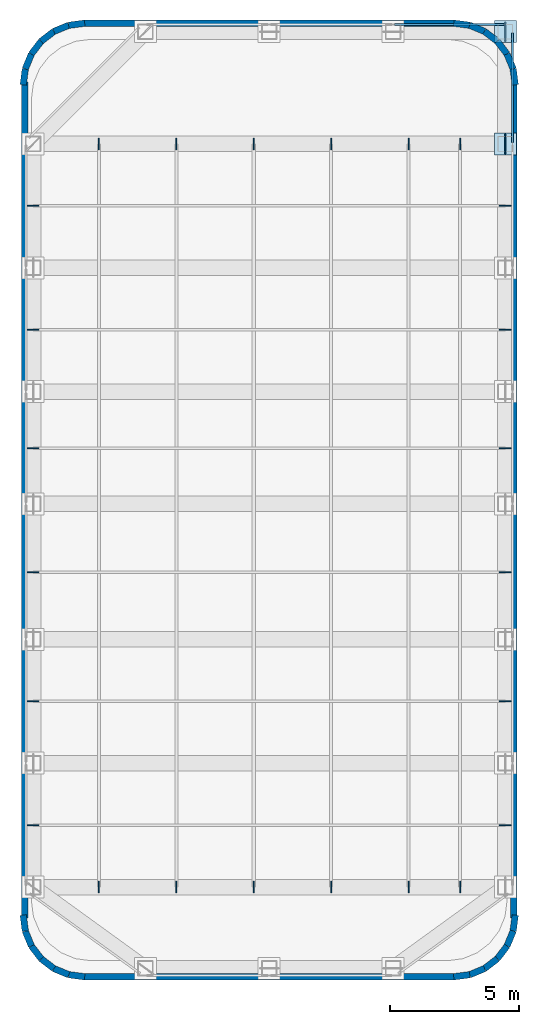
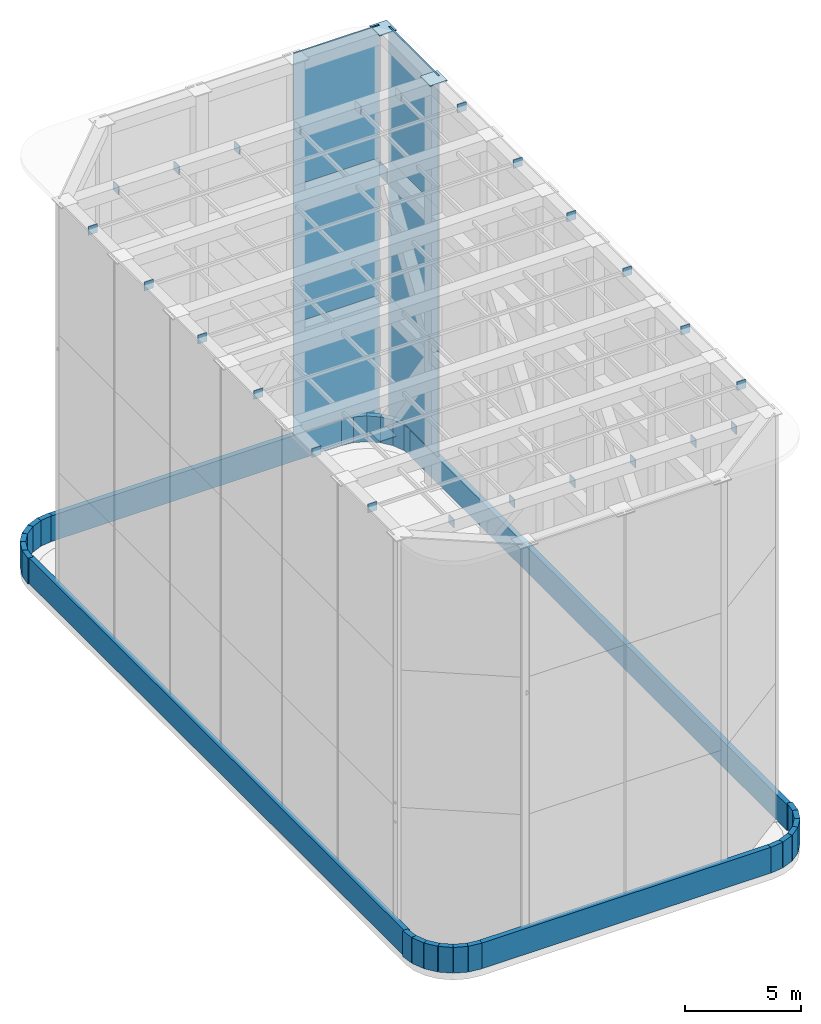
# One storey, part 3 of 4: 36 plates, 28 walls.
"""IFC4 building model written with IfcOpenShell, lengths in metres."""

from ifc_helpers import new_model, si_unit, direction, frame, frame_2d, origin, origin_2d, place, context, subcontext, project, spatial, rectangle, extrude, material, layer, layer_set, type_object, element, save


model = new_model("IFC4")

# Units and contexts
model_context = context("Model", 3, precision=1e-05, world=origin(), true_north=direction((0.0, 1.0)))
body_context = subcontext(model_context, "Body", "Model", "MODEL_VIEW")
ifc_project = project(units=[si_unit("LENGTHUNIT", "METRE"), si_unit("AREAUNIT", "SQUARE_METRE"), si_unit("VOLUMEUNIT", "CUBIC_METRE"), si_unit("PLANEANGLEUNIT", "RADIAN"), si_unit("MASSUNIT", "GRAM", prefix="KILO")], contexts=[model_context])

# Site, building, storey
site_placement = place(None, origin())
site = spatial("IfcSite", under=ifc_project, at=site_placement, CompositionType="ELEMENT")
building_placement = place(site_placement, origin())
building = spatial("IfcBuilding", under=site, at=building_placement, Name="Orvandelia Arch Residences", CompositionType="ELEMENT")
storey_placement = place(building_placement, frame((0.0, 0.0, 301.0)))
storey = spatial("IfcBuildingStorey", under=building, at=storey_placement, Name="RF", CompositionType="ELEMENT", Elevation=301.0)

# Plates
ifc_material_1 = material(Name="Structural Steel HSA650 (650 MPa)", Category="steel")
ifc_layer_1 = layer(ifc_material_1, 0.050048828125, Name="Structural Steel HSA650 (650 MPa)", Category="steel")
ifc_layer_set_1 = layer_set([ifc_layer_1], Name="Structural Steel HSA650 (650 MPa)")
plate_type_1 = type_object("IfcPlateType", Name="PLT-BASE-850", PredefinedType="USERDEFINED", material=ifc_layer_set_1)
for number, where, z_axis, x_axis, name in (
    (1, (23.550048828125, 47.550048828125, 0.0), (0.0, 0.0, 1.0), (1.0, 0.0, 0.0), "Crown Frame Base Plate CF1-11"),
    (2, (23.550048828125, 47.550048828125, 21.2900390625), (0.0, 0.0, 1.0), (1.0, 0.0, 0.0), "Crown Frame Top Cap Plate CFC-11"),
    (3, (23.550048828125, 43.199951171875, 21.2900390625), (0.0, 0.0, 1.0), (1.0, 0.0, 0.0), "Crown Frame Top Cap Plate CFC-12"),
):
    element("IfcPlate", number, at=place(storey_placement, frame(where, z_axis=z_axis, x_axis=x_axis)), inside=storey, type_object=plate_type_1, Name=name, ObjectType="BASE_PLATE", PredefinedType="USERDEFINED", context=body_context, shape_type="SweptSolid", body=[
        extrude(rectangle(XDim=0.85009765625, YDim=0.85009765625, at=origin_2d()), origin(), (0.0, 0.0, 1.0), 0.050048828125),
    ])
ifc_material_2 = material(Name="Anodised Champagne-Bronze Perforated Aluminium Screen", Category="aluminium")
ifc_layer_2 = layer(ifc_material_2, 0.080078125, Name="Anodised Champagne-Bronze Perforated Aluminium Screen", Category="aluminium")
ifc_layer_set_2 = layer_set([ifc_layer_2], Name="Anodised Champagne-Bronze Perforated Aluminium Screen")
plate_type_2 = type_object("IfcPlateType", Name="PLT-CSCR-4250x80x6940", PredefinedType="USERDEFINED", material=ifc_layer_set_2)
for number, where, z_axis, x_axis, name in (
    (4, (21.375, 47.830078125, 14.400146484375), (0.0, 0.0, 1.0), (1.0, 0.0, 0.0), "CROWN LOUVRE SCREEN PANEL T3-10"),
    (5, (23.830078125, 45.375, 14.400146484375), (0.0, 0.0, 1.0), (0.0, -1.0, 0.0), "CROWN LOUVRE SCREEN PANEL T3-11"),
):
    element("IfcPlate", number, at=place(storey_placement, frame(where, z_axis=z_axis, x_axis=x_axis)), inside=storey, type_object=plate_type_2, Name=name, ObjectType="SCREEN_PANEL", PredefinedType="USERDEFINED", context=body_context, shape_type="SweptSolid", body=[
        extrude(rectangle(XDim=4.25, YDim=0.080078125, at=origin_2d()), origin(), (0.0, 0.0, 1.0), 6.93994140625),
    ])
ifc_layer_3 = layer(ifc_material_2, 0.080078125, Name="Anodised Champagne-Bronze Perforated Aluminium Screen", Category="aluminium")
ifc_layer_set_3 = layer_set([ifc_layer_3], Name="Anodised Champagne-Bronze Perforated Aluminium Screen")
plate_type_3 = type_object("IfcPlateType", Name="PLT-CSCR-4250x80x7200", PredefinedType="USERDEFINED", material=ifc_layer_set_3)
for number, where, z_axis, x_axis, name in (
    (6, (21.375, 47.830078125, 0.0), (0.0, 0.0, 1.0), (1.0, 0.0, 0.0), "CROWN LOUVRE SCREEN PANEL T1-10"),
    (7, (21.375, 47.830078125, 7.2001953125), (0.0, 0.0, 1.0), (1.0, 0.0, 0.0), "CROWN LOUVRE SCREEN PANEL T2-10"),
    (8, (23.830078125, 45.375, 0.0), (0.0, 0.0, 1.0), (0.0, -1.0, 0.0), "CROWN LOUVRE SCREEN PANEL T1-11"),
    (9, (23.830078125, 45.375, 7.2001953125), (0.0, 0.0, 1.0), (0.0, -1.0, 0.0), "CROWN LOUVRE SCREEN PANEL T2-11"),
):
    element("IfcPlate", number, at=place(storey_placement, frame(where, z_axis=z_axis, x_axis=x_axis)), inside=storey, type_object=plate_type_3, Name=name, ObjectType="SCREEN_PANEL", PredefinedType="USERDEFINED", context=body_context, shape_type="SweptSolid", body=[
        extrude(rectangle(XDim=4.25, YDim=0.080078125, at=origin_2d()), origin(), (0.0, 0.0, 1.0), 7.199951171875),
    ])
ifc_layer_4 = layer(ifc_material_1, 0.0400390625, Name="Structural Steel HSA650 (650 MPa)", Category="steel")
ifc_layer_set_4 = layer_set([ifc_layer_4], Name="Structural Steel HSA650 (650 MPa)")
plate_type_4 = type_object("IfcPlateType", Name="PLT-GUSSET-450", PredefinedType="USERDEFINED", material=ifc_layer_set_4)
for number, where, z_axis, x_axis, name in (
    (10, (7.800048828125, 14.39990234375, 20.865234375), (0.0, 0.0, 1.0), (0.0, 1.0, 0.0), "Crown Purlin End Plate PRL-1-S"),
    (11, (7.800048828125, 43.199951171875, 20.865234375), (0.0, 0.0, 1.0), (0.0, 1.0, 0.0), "Crown Purlin End Plate PRL-1-N"),
    (12, (10.800048828125, 14.39990234375, 20.865234375), (0.0, 0.0, 1.0), (0.0, 1.0, 0.0), "Crown Purlin End Plate PRL-2-S"),
    (13, (10.800048828125, 43.199951171875, 20.865234375), (0.0, 0.0, 1.0), (0.0, 1.0, 0.0), "Crown Purlin End Plate PRL-2-N"),
    (14, (13.800048828125, 14.39990234375, 20.865234375), (0.0, 0.0, 1.0), (0.0, 1.0, 0.0), "Crown Purlin End Plate PRL-3-S"),
    (15, (13.800048828125, 43.199951171875, 20.865234375), (0.0, 0.0, 1.0), (0.0, 1.0, 0.0), "Crown Purlin End Plate PRL-3-N"),
    (16, (16.800048828125, 14.39990234375, 20.865234375), (0.0, 0.0, 1.0), (0.0, 1.0, 0.0), "Crown Purlin End Plate PRL-4-S"),
    (17, (16.800048828125, 43.199951171875, 20.865234375), (0.0, 0.0, 1.0), (0.0, 1.0, 0.0), "Crown Purlin End Plate PRL-4-N"),
    (18, (19.800048828125, 14.39990234375, 20.865234375), (0.0, 0.0, 1.0), (0.0, 1.0, 0.0), "Crown Purlin End Plate PRL-5-S"),
    (19, (19.800048828125, 43.199951171875, 20.865234375), (0.0, 0.0, 1.0), (0.0, 1.0, 0.0), "Crown Purlin End Plate PRL-5-N"),
    (20, (21.800048828125, 14.39990234375, 20.865234375), (0.0, 0.0, 1.0), (0.0, 1.0, 0.0), "Crown Purlin End Plate PRL-6-S"),
    (21, (21.800048828125, 43.199951171875, 20.865234375), (0.0, 0.0, 1.0), (0.0, 1.0, 0.0), "Crown Purlin End Plate PRL-6-N"),
    (22, (5.25, 16.800048828125, 21.0400390625), (0.0, 0.0, 1.0), (1.0, 0.0, 0.0), "Crown Rafter End Plate RFT-1-W"),
    (23, (23.550048828125, 16.800048828125, 21.0400390625), (0.0, 0.0, 1.0), (1.0, 0.0, 0.0), "Crown Rafter End Plate RFT-1-E"),
    (24, (5.25, 21.60009765625, 21.0400390625), (0.0, 0.0, 1.0), (1.0, 0.0, 0.0), "Crown Rafter End Plate RFT-2-W"),
    (25, (23.550048828125, 21.60009765625, 21.0400390625), (0.0, 0.0, 1.0), (1.0, 0.0, 0.0), "Crown Rafter End Plate RFT-2-E"),
    (26, (5.25, 26.60009765625, 21.0400390625), (0.0, 0.0, 1.0), (1.0, 0.0, 0.0), "Crown Rafter End Plate RFT-3-W"),
    (27, (23.550048828125, 26.60009765625, 21.0400390625), (0.0, 0.0, 1.0), (1.0, 0.0, 0.0), "Crown Rafter End Plate RFT-3-E"),
    (28, (5.25, 31.39990234375, 21.0400390625), (0.0, 0.0, 1.0), (1.0, 0.0, 0.0), "Crown Rafter End Plate RFT-4-W"),
    (29, (23.550048828125, 31.39990234375, 21.0400390625), (0.0, 0.0, 1.0), (1.0, 0.0, 0.0), "Crown Rafter End Plate RFT-4-E"),
    (30, (5.25, 36.0, 21.0400390625), (0.0, 0.0, 1.0), (1.0, 0.0, 0.0), "Crown Rafter End Plate RFT-5-W"),
    (31, (23.550048828125, 36.0, 21.0400390625), (0.0, 0.0, 1.0), (1.0, 0.0, 0.0), "Crown Rafter End Plate RFT-5-E"),
    (32, (5.25, 40.800048828125, 21.0400390625), (0.0, 0.0, 1.0), (1.0, 0.0, 0.0), "Crown Rafter End Plate RFT-6-W"),
    (33, (23.550048828125, 40.800048828125, 21.0400390625), (0.0, 0.0, 1.0), (1.0, 0.0, 0.0), "Crown Rafter End Plate RFT-6-E"),
):
    element("IfcPlate", number, at=place(storey_placement, frame(where, z_axis=z_axis, x_axis=x_axis)), inside=storey, type_object=plate_type_4, Name=name, ObjectType="GUSSET_PLATE", PredefinedType="USERDEFINED", context=body_context, shape_type="SweptSolid", body=[
        extrude(rectangle(XDim=0.449951171875, YDim=0.0400390625, at=origin_2d()), origin(), (0.0, 0.0, 1.0), 0.449951171875),
    ])
ifc_layer_5 = layer(ifc_material_1, 0.0400390625, Name="Structural Steel HSA650 (650 MPa)", Category="steel")
ifc_layer_set_5 = layer_set([ifc_layer_5], Name="Structural Steel HSA650 (650 MPa)")
plate_type_5 = type_object("IfcPlateType", Name="PLT-GUSSET-750", PredefinedType="USERDEFINED", material=ifc_layer_set_5)
for number, where, z_axis, x_axis, name in (
    (34, (23.550048828125, 43.199951171875, 6.22509765625), (0.0, 0.0, 1.0), (0.0, -1.0, 0.0), "Crown Brace Gusset Plate 11-1H"),
    (35, (23.550048828125, 43.199951171875, 6.824951171875), (0.0, 0.0, 1.0), (0.0, -1.0, 0.0), "Crown Brace Gusset Plate 11-2L"),
    (36, (23.550048828125, 47.550048828125, 13.425048828125), (0.0, 0.0, 1.0), (0.0, -1.0, 0.0), "Crown Brace Gusset Plate 11-2H"),
):
    element("IfcPlate", number, at=place(storey_placement, frame(where, z_axis=z_axis, x_axis=x_axis)), inside=storey, type_object=plate_type_5, Name=name, ObjectType="GUSSET_PLATE", PredefinedType="USERDEFINED", context=body_context, shape_type="SweptSolid", body=[
        extrude(rectangle(XDim=0.75, YDim=0.0400390625, at=origin_2d()), origin(), (0.0, 0.0, 1.0), 0.75),
    ])

# Walls
ifc_material_3 = material(Name="Precast concrete C40/50", Category="concrete")
ifc_layer_6 = layer(ifc_material_3, 0.25, Name="Precast concrete C40/50", Category="concrete")
ifc_layer_set_6 = layer_set([ifc_layer_6], Name="Precast concrete C40/50")
wall_type = type_object("IfcWallType", Name="WL-PARAPET-250", PredefinedType="PARAPET", material=ifc_layer_set_6)
wall_1_placement = place(storey_placement, frame((4.864990234375, 13.3125, 0.0), z_axis=(0.0, 0.0, 1.0), x_axis=(0.130938369255, -0.99139051007, 0.0)))
element("IfcWall", 37, at=wall_1_placement, inside=storey, type_object=wall_type, Name="Main Roof Perimeter Parapet 01", PredefinedType="PARAPET", context=body_context, shape_type="SweptSolid", body=[
    extrude(rectangle(XDim=0.62646484375, YDim=0.25, at=frame_2d((0.313232421875, 0.0))), origin(), (0.0, 0.0, 1.0), 1.35009765625),
])
wall_2_placement = place(storey_placement, frame((4.9443359375, 12.692626953125, 0.0), z_axis=(0.0, 0.0, 1.0), x_axis=(0.382787856107, -0.923836271867, 0.0)))
element("IfcWall", 38, at=wall_2_placement, inside=storey, type_object=wall_type, Name="Main Roof Perimeter Parapet 02", PredefinedType="PARAPET", context=body_context, shape_type="SweptSolid", body=[
    extrude(rectangle(XDim=0.626220703125, YDim=0.25, at=frame_2d((0.31298828125, 0.0))), origin(), (0.0, 0.0, 1.0), 1.35009765625),
])
wall_3_placement = place(storey_placement, frame((5.180908203125, 12.115478515625, 0.0), z_axis=(0.0, 0.0, 1.0), x_axis=(0.608938521285, -0.7932174212, 0.0)))
element("IfcWall", 39, at=wall_3_placement, inside=storey, type_object=wall_type, Name="Main Roof Perimeter Parapet 03", PredefinedType="PARAPET", context=body_context, shape_type="SweptSolid", body=[
    extrude(rectangle(XDim=0.626708984375, YDim=0.25, at=frame_2d((0.3134765625, 0.0))), origin(), (0.0, 0.0, 1.0), 1.35009765625),
])
wall_4_placement = place(storey_placement, frame((5.55908203125, 11.6201171875, 0.0), z_axis=(0.0, 0.0, 1.0), x_axis=(0.793405610854, -0.608693302629, 0.0)))
element("IfcWall", 40, at=wall_4_placement, inside=storey, type_object=wall_type, Name="Main Roof Perimeter Parapet 04", PredefinedType="PARAPET", context=body_context, shape_type="SweptSolid", body=[
    extrude(rectangle(XDim=0.62646484375, YDim=0.25, at=frame_2d((0.313232421875, 0.0))), origin(), (0.0, 0.0, 1.0), 1.35009765625),
])
wall_5_placement = place(storey_placement, frame((6.052490234375, 11.240478515625, 0.0), z_axis=(0.0, 0.0, 1.0), x_axis=(0.923836271867, -0.382787856107, 0.0)))
element("IfcWall", 41, at=wall_5_placement, inside=storey, type_object=wall_type, Name="Main Roof Perimeter Parapet 05", PredefinedType="PARAPET", context=body_context, shape_type="SweptSolid", body=[
    extrude(rectangle(XDim=0.626220703125, YDim=0.25, at=frame_2d((0.31298828125, 0.0))), origin(), (0.0, 0.0, 1.0), 1.35009765625),
])
wall_6_placement = place(storey_placement, frame((6.627685546875, 11.002197265625, 0.0), z_axis=(0.0, 0.0, 1.0), x_axis=(0.9914410257, -0.130555323746, 0.0)))
element("IfcWall", 42, at=wall_6_placement, inside=storey, type_object=wall_type, Name="Main Roof Perimeter Parapet 06", PredefinedType="PARAPET", context=body_context, shape_type="SweptSolid", body=[
    extrude(rectangle(XDim=0.62646484375, YDim=0.25, at=frame_2d((0.313232421875, 0.0))), origin(), (0.0, 0.0, 1.0), 1.35009765625),
])
wall_7_placement = place(storey_placement, frame((7.199951171875, 10.929931640625, 0.0), z_axis=(0.0, 0.0, 1.0), x_axis=(1.0, 0.0, 0.0)))
element("IfcWall", 43, at=wall_7_placement, inside=storey, type_object=wall_type, Name="Main Roof Perimeter Parapet 07", PredefinedType="PARAPET", context=body_context, shape_type="SweptSolid", body=[
    extrude(rectangle(XDim=14.400146484375, YDim=0.25, at=frame_2d((7.2001953125, 0.0))), origin(), (0.0, 0.0, 1.0), 1.35009765625),
])
for number, where, z_axis, x_axis, name in (
    (44, (21.55126953125, 10.92041015625, 0.0), (0.0, 0.0, 1.0), (0.9914410257, 0.130555323746, 0.0), "Main Roof Perimeter Parapet 08"),
    (45, (22.168701171875, 11.000732421875, 0.0), (0.0, 0.0, 1.0), (0.92389335771, 0.382650053678, 0.0), "Main Roof Perimeter Parapet 09"),
    (46, (22.743896484375, 11.23876953125, 0.0), (0.0, 0.0, 1.0), (0.793405610854, 0.608693302629, 0.0), "Main Roof Perimeter Parapet 10"),
    (47, (23.237548828125, 11.618408203125, 0.0), (0.0, 0.0, 1.0), (0.608693302629, 0.793405610854, 0.0), "Main Roof Perimeter Parapet 11"),
):
    element("IfcWall", number, at=place(storey_placement, frame(where, z_axis=z_axis, x_axis=x_axis)), inside=storey, type_object=wall_type, Name=name, PredefinedType="PARAPET", context=body_context, shape_type="SweptSolid", body=[
        extrude(rectangle(XDim=0.62646484375, YDim=0.25, at=frame_2d((0.313232421875, 0.0))), origin(), (0.0, 0.0, 1.0), 1.35009765625),
    ])
wall_8_placement = place(storey_placement, frame((23.615966796875, 12.114013671875, 0.0), z_axis=(0.0, 0.0, 1.0), x_axis=(0.382787856107, 0.923836271867, 0.0)))
element("IfcWall", 48, at=wall_8_placement, inside=storey, type_object=wall_type, Name="Main Roof Perimeter Parapet 12", PredefinedType="PARAPET", context=body_context, shape_type="SweptSolid", body=[
    extrude(rectangle(XDim=0.626220703125, YDim=0.25, at=frame_2d((0.31298828125, 0.0))), origin(), (0.0, 0.0, 1.0), 1.35009765625),
])
wall_9_placement = place(storey_placement, frame((23.85302734375, 12.69140625, 0.0), z_axis=(0.0, 0.0, 1.0), x_axis=(0.130555323746, 0.9914410257, 0.0)))
element("IfcWall", 49, at=wall_9_placement, inside=storey, type_object=wall_type, Name="Main Roof Perimeter Parapet 13", PredefinedType="PARAPET", context=body_context, shape_type="SweptSolid", body=[
    extrude(rectangle(XDim=0.62646484375, YDim=0.25, at=frame_2d((0.313232421875, 0.0))), origin(), (0.0, 0.0, 1.0), 1.35009765625),
])
wall_10_placement = place(storey_placement, frame((23.8701171875, 13.199951171875, 0.0), z_axis=(0.0, 0.0, 1.0), x_axis=(0.0, 1.0, 0.0)))
element("IfcWall", 50, at=wall_10_placement, inside=storey, type_object=wall_type, Name="Main Roof Perimeter Parapet 14", PredefinedType="PARAPET", context=body_context, shape_type="SweptSolid", body=[
    extrude(rectangle(XDim=32.400146484375, YDim=0.25, at=frame_2d((16.2001953125, 0.0))), origin(), (0.0, 0.0, 1.0), 1.35009765625),
])
wall_11_placement = place(storey_placement, frame((23.934814453125, 45.487548828125, 0.0), z_axis=(0.0, 0.0, 1.0), x_axis=(-0.130555323746, 0.9914410257, 0.0)))
element("IfcWall", 51, at=wall_11_placement, inside=storey, type_object=wall_type, Name="Main Roof Perimeter Parapet 15", PredefinedType="PARAPET", context=body_context, shape_type="SweptSolid", body=[
    extrude(rectangle(XDim=0.62646484375, YDim=0.25, at=frame_2d((0.313232421875, 0.0))), origin(), (0.0, 0.0, 1.0), 1.35009765625),
])
wall_12_placement = place(storey_placement, frame((23.855712890625, 46.107421875, 0.0), z_axis=(0.0, 0.0, 1.0), x_axis=(-0.382787856107, 0.923836271867, 0.0)))
element("IfcWall", 52, at=wall_12_placement, inside=storey, type_object=wall_type, Name="Main Roof Perimeter Parapet 16", PredefinedType="PARAPET", context=body_context, shape_type="SweptSolid", body=[
    extrude(rectangle(XDim=0.626220703125, YDim=0.25, at=frame_2d((0.31298828125, 0.0))), origin(), (0.0, 0.0, 1.0), 1.35009765625),
])
wall_13_placement = place(storey_placement, frame((23.618896484375, 46.684326171875, 0.0), z_axis=(0.0, 0.0, 1.0), x_axis=(-0.608693302629, 0.793405610854, 0.0)))
element("IfcWall", 53, at=wall_13_placement, inside=storey, type_object=wall_type, Name="Main Roof Perimeter Parapet 17", PredefinedType="PARAPET", context=body_context, shape_type="SweptSolid", body=[
    extrude(rectangle(XDim=0.62646484375, YDim=0.25, at=frame_2d((0.313232421875, 0.0))), origin(), (0.0, 0.0, 1.0), 1.35009765625),
])
wall_14_placement = place(storey_placement, frame((23.240966796875, 47.1796875, 0.0), z_axis=(0.0, 0.0, 1.0), x_axis=(-0.7932174212, 0.608938521285, 0.0)))
element("IfcWall", 54, at=wall_14_placement, inside=storey, type_object=wall_type, Name="Main Roof Perimeter Parapet 18", PredefinedType="PARAPET", context=body_context, shape_type="SweptSolid", body=[
    extrude(rectangle(XDim=0.626708984375, YDim=0.25, at=frame_2d((0.3134765625, 0.0))), origin(), (0.0, 0.0, 1.0), 1.35009765625),
])
for number, where, z_axis, x_axis, name in (
    (55, (22.74755859375, 47.5595703125, 0.0), (0.0, 0.0, 1.0), (-0.92389335771, 0.382650053678, 0.0), "Main Roof Perimeter Parapet 19"),
    (56, (22.17236328125, 47.797607421875, 0.0), (0.0, 0.0, 1.0), (-0.9914410257, 0.130555323746, 0.0), "Main Roof Perimeter Parapet 20"),
):
    element("IfcWall", number, at=place(storey_placement, frame(where, z_axis=z_axis, x_axis=x_axis)), inside=storey, type_object=wall_type, Name=name, PredefinedType="PARAPET", context=body_context, shape_type="SweptSolid", body=[
        extrude(rectangle(XDim=0.62646484375, YDim=0.25, at=frame_2d((0.313232421875, 0.0))), origin(), (0.0, 0.0, 1.0), 1.35009765625),
    ])
wall_15_placement = place(storey_placement, frame((21.60009765625, 47.8701171875, 0.0), z_axis=(0.0, 0.0, 1.0), x_axis=(-1.0, 0.0, 0.0)))
element("IfcWall", 57, at=wall_15_placement, inside=storey, type_object=wall_type, Name="Main Roof Perimeter Parapet 21", PredefinedType="PARAPET", context=body_context, shape_type="SweptSolid", body=[
    extrude(rectangle(XDim=14.400146484375, YDim=0.25, at=frame_2d((7.2001953125, 0.0))), origin(), (0.0, 0.0, 1.0), 1.35009765625),
])
wall_16_placement = place(storey_placement, frame((7.248779296875, 47.87939453125, 0.0), z_axis=(0.0, 0.0, 1.0), x_axis=(-0.9914410257, -0.130555323746, 0.0)))
element("IfcWall", 58, at=wall_16_placement, inside=storey, type_object=wall_type, Name="Main Roof Perimeter Parapet 22", PredefinedType="PARAPET", context=body_context, shape_type="SweptSolid", body=[
    extrude(rectangle(XDim=0.62646484375, YDim=0.25, at=frame_2d((0.313232421875, 0.0))), origin(), (0.0, 0.0, 1.0), 1.35009765625),
])
wall_17_placement = place(storey_placement, frame((6.631103515625, 47.79931640625, 0.0), z_axis=(0.0, 0.0, 1.0), x_axis=(-0.923836271867, -0.382787856107, 0.0)))
element("IfcWall", 59, at=wall_17_placement, inside=storey, type_object=wall_type, Name="Main Roof Perimeter Parapet 23", PredefinedType="PARAPET", context=body_context, shape_type="SweptSolid", body=[
    extrude(rectangle(XDim=0.626220703125, YDim=0.25, at=frame_2d((0.31298828125, 0.0))), origin(), (0.0, 0.0, 1.0), 1.35009765625),
])
for number, where, z_axis, x_axis, name in (
    (60, (6.05615234375, 47.561279296875, 0.0), (0.0, 0.0, 1.0), (-0.7932174212, -0.608938521285, 0.0), "Main Roof Perimeter Parapet 24"),
    (61, (5.5625, 47.181396484375, 0.0), (0.0, 0.0, 1.0), (-0.608938521285, -0.7932174212, 0.0), "Main Roof Perimeter Parapet 25"),
):
    element("IfcWall", number, at=place(storey_placement, frame(where, z_axis=z_axis, x_axis=x_axis)), inside=storey, type_object=wall_type, Name=name, PredefinedType="PARAPET", context=body_context, shape_type="SweptSolid", body=[
        extrude(rectangle(XDim=0.626708984375, YDim=0.25, at=frame_2d((0.3134765625, 0.0))), origin(), (0.0, 0.0, 1.0), 1.35009765625),
    ])
wall_18_placement = place(storey_placement, frame((5.18408203125, 46.68603515625, 0.0), z_axis=(0.0, 0.0, 1.0), x_axis=(-0.382787856107, -0.923836271867, 0.0)))
element("IfcWall", 62, at=wall_18_placement, inside=storey, type_object=wall_type, Name="Main Roof Perimeter Parapet 26", PredefinedType="PARAPET", context=body_context, shape_type="SweptSolid", body=[
    extrude(rectangle(XDim=0.626220703125, YDim=0.25, at=frame_2d((0.31298828125, 0.0))), origin(), (0.0, 0.0, 1.0), 1.35009765625),
])
wall_19_placement = place(storey_placement, frame((4.947021484375, 46.108642578125, 0.0), z_axis=(0.0, 0.0, 1.0), x_axis=(-0.130938369255, -0.99139051007, 0.0)))
element("IfcWall", 63, at=wall_19_placement, inside=storey, type_object=wall_type, Name="Main Roof Perimeter Parapet 27", PredefinedType="PARAPET", context=body_context, shape_type="SweptSolid", body=[
    extrude(rectangle(XDim=0.62646484375, YDim=0.25, at=frame_2d((0.313232421875, 0.0))), origin(), (0.0, 0.0, 1.0), 1.35009765625),
])
wall_20_placement = place(storey_placement, frame((4.929931640625, 45.60009765625, 0.0), z_axis=(0.0, 0.0, 1.0), x_axis=(0.0, -1.0, 0.0)))
element("IfcWall", 64, at=wall_20_placement, inside=storey, type_object=wall_type, Name="Main Roof Perimeter Parapet 28", PredefinedType="PARAPET", context=body_context, shape_type="SweptSolid", body=[
    extrude(rectangle(XDim=32.400146484375, YDim=0.25, at=frame_2d((16.2001953125, 0.0))), origin(), (0.0, 0.0, 1.0), 1.35009765625),
])

save(model, "model.ifc")
